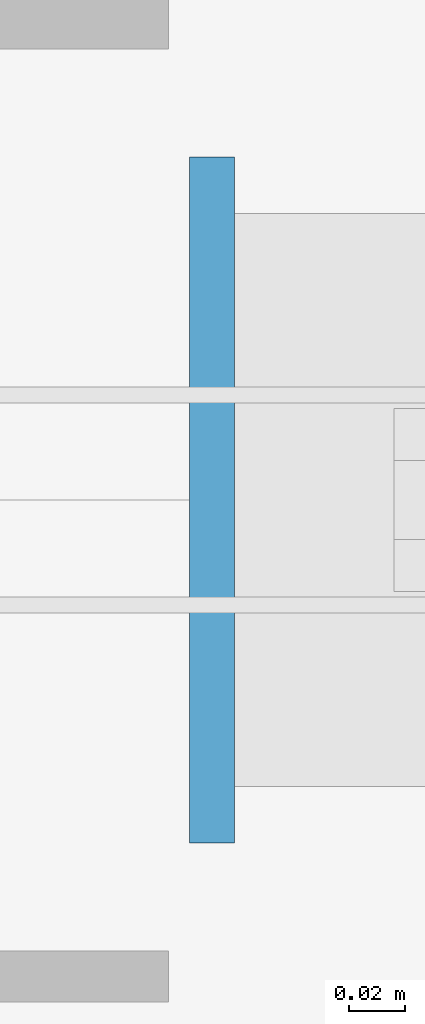
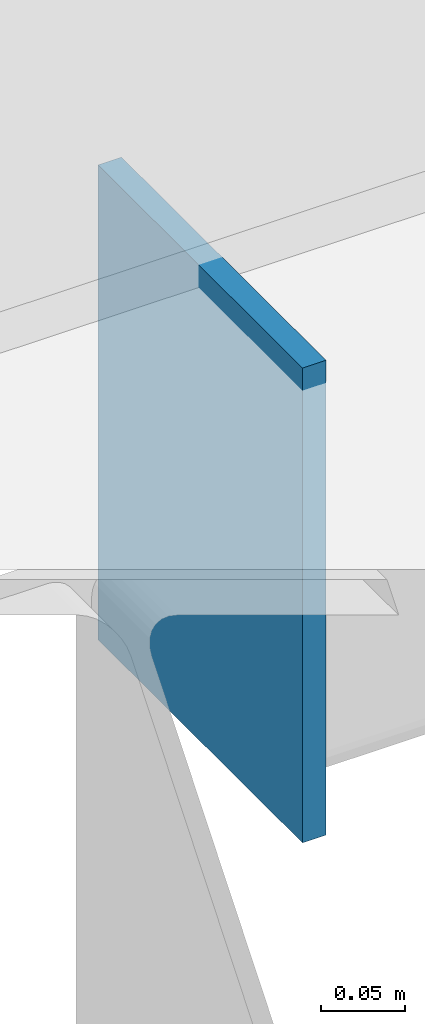
# One storey, part 181 of 229: 1 plate.
"""IFC4 building model written with IfcOpenShell, lengths in metres."""

from ifc_helpers import new_model, si_unit, direction, frame, origin, origin_2d, place, context, subcontext, project, spatial, rectangle, extrude, material, layer, layer_set, type_object, element, save


model = new_model("IFC4")

# Units and contexts
model_context = context("Model", 3, precision=1e-05, world=origin(), true_north=direction((0.0, 1.0)))
body_context = subcontext(model_context, "Body", "Model", "MODEL_VIEW")
ifc_project = project(units=[si_unit("LENGTHUNIT", "METRE"), si_unit("AREAUNIT", "SQUARE_METRE"), si_unit("VOLUMEUNIT", "CUBIC_METRE"), si_unit("PLANEANGLEUNIT", "RADIAN"), si_unit("MASSUNIT", "GRAM", prefix="KILO")], contexts=[model_context])

# Site, building, storey
site_placement = place(None, origin())
site = spatial("IfcSite", under=ifc_project, at=site_placement, CompositionType="ELEMENT")
building_placement = place(site_placement, origin())
building = spatial("IfcBuilding", under=site, at=building_placement, Name="Calvrana Isthmian Art Gallery", CompositionType="ELEMENT")
storey_placement = place(building_placement, origin())
storey = spatial("IfcBuildingStorey", under=building, at=storey_placement, Name="L00", CompositionType="ELEMENT", Elevation=0.0)

# Plate
ifc_material = material(Name="Steel ASTM A572 Gr 50", Category="steel")
ifc_layer = layer(ifc_material, 0.01611328125, Name="Steel ASTM A572 Gr 50")
ifc_layer_set = layer_set([ifc_layer], Name="Steel ASTM A572 Gr 50")
plate_type = type_object("IfcPlateType", Name="PL-CAP-16", PredefinedType="SHEET", material=ifc_layer_set)
plate_placement = place(storey_placement, frame((156.199462890625, 21.60009765625, -0.60986328125), z_axis=(0.0, 0.0, 1.0), x_axis=(1.0, 0.0, 0.0)))
element("IfcPlate", 1, at=plate_placement, inside=storey, type_object=plate_type, Name="Hollow section end cap plate 381", PredefinedType="SHEET", context=body_context, shape_type="SweptSolid", body=[
    extrude(rectangle(XDim=0.01611328125, YDim=0.2431640625, at=origin_2d()), origin(), (0.0, 0.0, 1.0), 0.3447265625),
])

save(model, "model.ifc")
